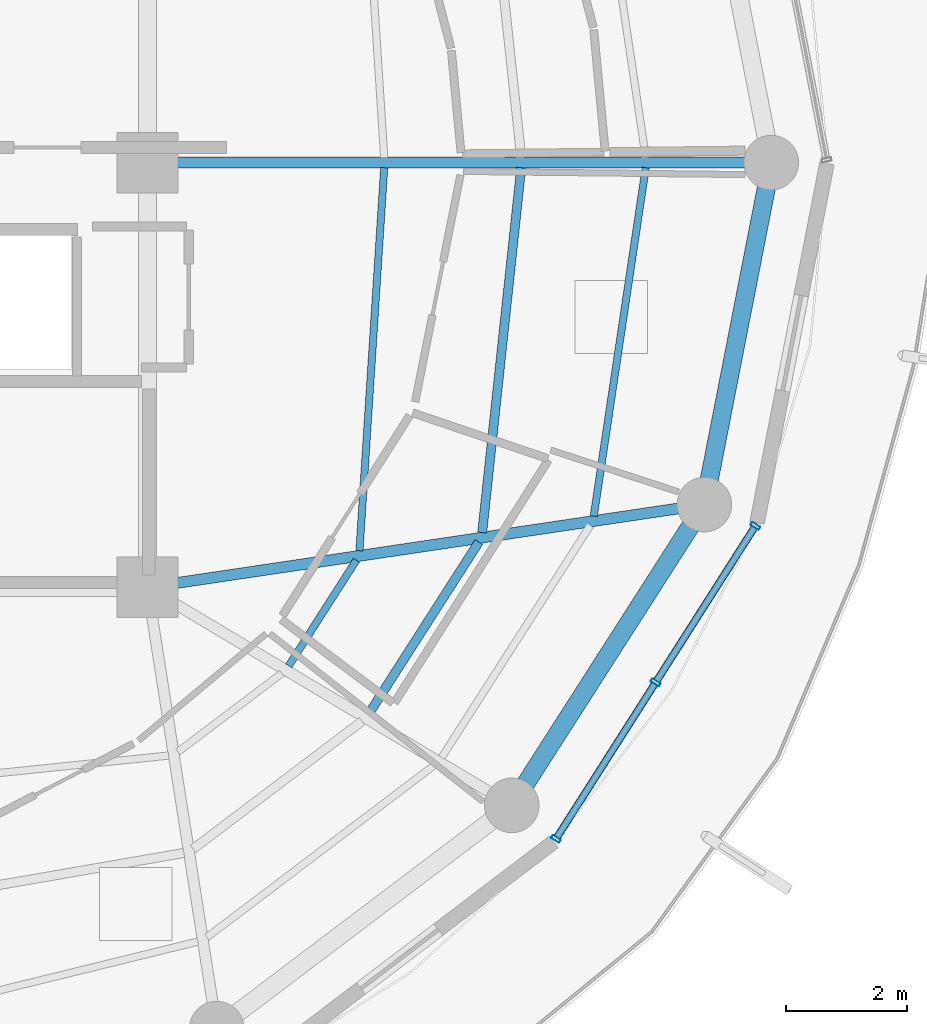
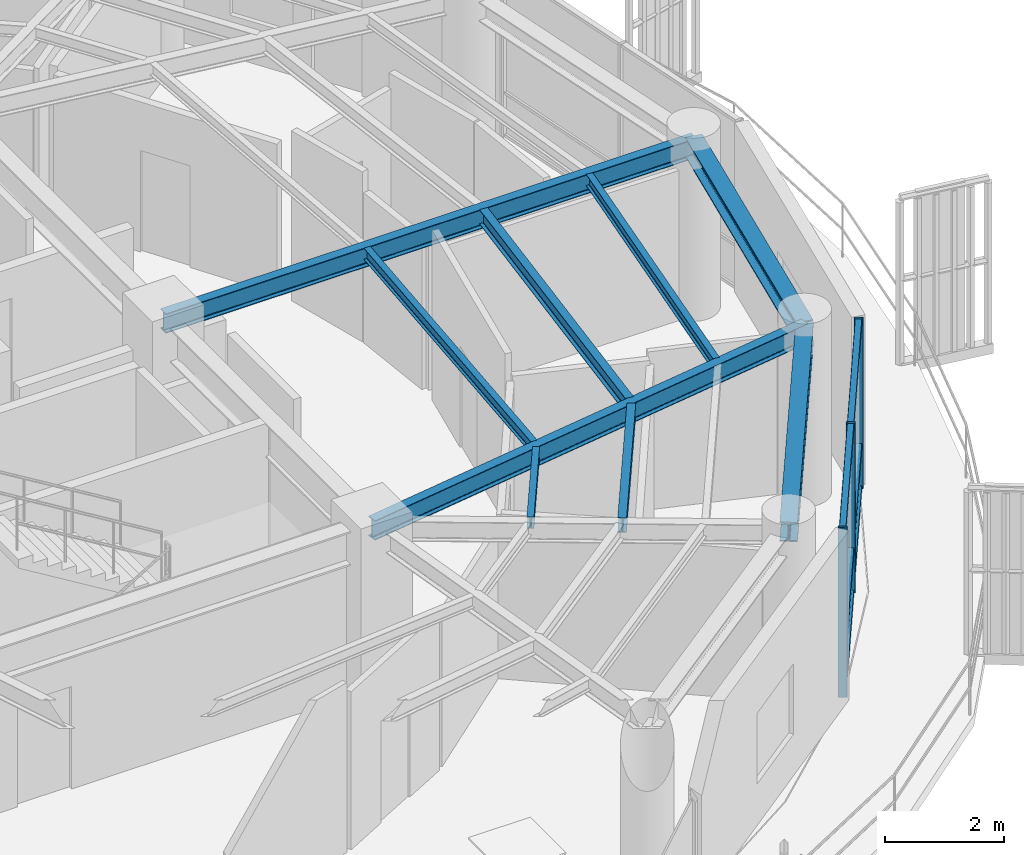
# One storey, part 10 of 23: 9 beams, 9 members, 1 element without a shape of its own.
"""IFC4 building model written with IfcOpenShell, lengths in metres."""

from ifc_helpers import new_model, si_unit, direction, frame, origin, origin_2d, place, context, subcontext, project, spatial, hollow_rectangle, i_section, extrude, material, layer, layer_set, material_profile, profile_set, type_object, element, aggregate, save


model = new_model("IFC4")

# Units and contexts
model_context = context("Model", 3, precision=1e-05, world=origin(), true_north=direction((0.0, 1.0)))
body_context = subcontext(model_context, "Body", "Model", "MODEL_VIEW")
ifc_project = project(units=[si_unit("LENGTHUNIT", "METRE"), si_unit("AREAUNIT", "SQUARE_METRE"), si_unit("VOLUMEUNIT", "CUBIC_METRE"), si_unit("PLANEANGLEUNIT", "RADIAN"), si_unit("MASSUNIT", "GRAM", prefix="KILO")], contexts=[model_context])

# Site, building, storey
site_placement = place(None, origin())
site = spatial("IfcSite", under=ifc_project, at=site_placement, CompositionType="ELEMENT")
building_placement = place(site_placement, origin())
building = spatial("IfcBuilding", under=site, at=building_placement, Name="Kelanora Arch Commons", CompositionType="ELEMENT")
storey_placement = place(building_placement, frame((0.0, 0.0, 256.199951171875)))
storey = spatial("IfcBuildingStorey", under=building, at=storey_placement, Name="L65", CompositionType="ELEMENT", Elevation=256.199951171875)

# Beams
ifc_material_1 = material(Name="Steel S355", Category="steel")
ifc_material_profile_1 = material_profile(ifc_material_1, i_section(OverallWidth=0.14990234375, OverallDepth=0.300048828125, WebThickness=0.007080078125, FlangeThickness=0.0107421875, FilletRadius=0.014892578125, at=origin_2d()), Name="IPE300")
ifc_profile_set_1 = profile_set([ifc_material_profile_1], Name="Steel S355")
beam_type_1 = type_object("IfcBeamType", Name="BM-JST-01", PredefinedType="JOIST", material=ifc_profile_set_1)
beam_1_placement = place(storey_placement, frame((85.647705078125, 48.915771484375, 3.340087890625), z_axis=(0.539321586177, 0.842099891155, 0.0), x_axis=(-0.842099891155, 0.539321586177, 0.0)))
element("IfcBeam", 1, at=beam_1_placement, inside=storey, type_object=beam_type_1, Name="Secondary Chord Joist BJB-32 L65", PredefinedType="JOIST", context=body_context, shape_type="SweptSolid", body=[
    extrude(i_section(OverallWidth=0.14990234375, OverallDepth=0.300048828125, WebThickness=0.007080078125, FlangeThickness=0.0107421875, FilletRadius=0.014892578125, at=origin_2d()), origin(), (0.0, 0.0, 1.0), 3.361572265625),
])
beam_2_placement = place(storey_placement, frame((87.515625, 51.902587890625, 3.340087890625), z_axis=(0.106380594087, 0.994325484538, 0.0), x_axis=(-0.994325484538, 0.106380594087, 0.0)))
element("IfcBeam", 2, at=beam_2_placement, inside=storey, type_object=beam_type_1, Name="Secondary Chord Joist BJB-34 L65", PredefinedType="JOIST", context=body_context, shape_type="SweptSolid", body=[
    extrude(i_section(OverallWidth=0.14990234375, OverallDepth=0.300048828125, WebThickness=0.007080078125, FlangeThickness=0.0107421875, FilletRadius=0.014892578125, at=origin_2d()), origin(), (0.0, 0.0, 1.0), 6.04736328125),
])
ifc_material_profile_2 = material_profile(ifc_material_1, i_section(OverallWidth=0.1201171875, OverallDepth=0.239990234375, WebThickness=0.006103515625, FlangeThickness=0.009765625, FilletRadius=0.014892578125, at=origin_2d()), Name="IPE240")
ifc_profile_set_2 = profile_set([ifc_material_profile_2], Name="Steel S355")
beam_type_2 = type_object("IfcBeamType", Name="BM-JST-02", PredefinedType="JOIST", material=ifc_profile_set_2)
beam_3_placement = place(storey_placement, frame((84.3271484375, 49.706298828125, 3.3701171875), z_axis=(0.539311810315, 0.842106152011, 0.0), x_axis=(-0.842106152011, 0.539311810315, 0.0)))
element("IfcBeam", 3, at=beam_3_placement, inside=storey, type_object=beam_type_2, Name="Secondary Chord Joist BJA-32 L65", PredefinedType="JOIST", context=body_context, shape_type="SweptSolid", body=[
    extrude(i_section(OverallWidth=0.1201171875, OverallDepth=0.239990234375, WebThickness=0.006103515625, FlangeThickness=0.009765625, FilletRadius=0.014892578125, at=origin_2d()), origin(), (0.0, 0.0, 1.0), 2.06640625),
])
beam_4_placement = place(storey_placement, frame((85.492919921875, 51.60302734375, 3.3701171875), z_axis=(0.064495107978, 0.99791802321, 0.0), x_axis=(-0.99791802321, 0.064495107978, 0.0)))
element("IfcBeam", 4, at=beam_4_placement, inside=storey, type_object=beam_type_2, Name="Secondary Chord Joist BJA-34 L65", PredefinedType="JOIST", context=body_context, shape_type="SweptSolid", body=[
    extrude(i_section(OverallWidth=0.1201171875, OverallDepth=0.239990234375, WebThickness=0.006103515625, FlangeThickness=0.009765625, FilletRadius=0.014892578125, at=origin_2d()), origin(), (0.0, 0.0, 1.0), 6.325439453125),
])
beam_5_placement = place(storey_placement, frame((89.3544921875, 52.1748046875, 3.3701171875), z_axis=(0.14762470282, 0.989043450571, 0.0), x_axis=(-0.989043450571, 0.14762470282, 0.0)))
element("IfcBeam", 5, at=beam_5_placement, inside=storey, type_object=beam_type_2, Name="Secondary Chord Joist BJC-34 L65", PredefinedType="JOIST", context=body_context, shape_type="SweptSolid", body=[
    extrude(i_section(OverallWidth=0.1201171875, OverallDepth=0.239990234375, WebThickness=0.006103515625, FlangeThickness=0.009765625, FilletRadius=0.014892578125, at=origin_2d()), origin(), (0.0, 0.0, 1.0), 5.804931640625),
])
ifc_material_profile_3 = material_profile(ifc_material_1, i_section(OverallWidth=0.179931640625, OverallDepth=0.39990234375, WebThickness=0.008544921875, FlangeThickness=0.013427734375, FilletRadius=0.02099609375, at=origin_2d()), Name="IPE400")
ifc_profile_set_3 = profile_set([ifc_material_profile_3], Name="Steel S355")
beam_type_3 = type_object("IfcBeamType", Name="BM-RAD-Z5", PredefinedType="BEAM", material=ifc_profile_set_3)
beam_6_placement = place(storey_placement, frame((82.0, 58.0, 3.2900390625), z_axis=(1.0, 0.0, 0.0), x_axis=(0.0, 1.0, 0.0)))
element("IfcBeam", 6, at=beam_6_placement, inside=storey, type_object=beam_type_3, Name="Radial Floor Girder BR-00 L65", PredefinedType="BEAM", context=body_context, shape_type="SweptSolid", body=[
    extrude(i_section(OverallWidth=0.179931640625, OverallDepth=0.39990234375, WebThickness=0.008544921875, FlangeThickness=0.013427734375, FilletRadius=0.02099609375, at=origin_2d()), origin(), (0.0, 0.0, 1.0), 10.280029296875),
])
beam_7_placement = place(storey_placement, frame((82.0, 51.0, 3.2900390625), z_axis=(0.989142485564, 0.146959665395, 0.0), x_axis=(-0.146959665395, 0.989142485564, 0.0)))
element("IfcBeam", 7, at=beam_7_placement, inside=storey, type_object=beam_type_3, Name="Radial Floor Girder BR-34 L65", PredefinedType="BEAM", context=body_context, shape_type="SweptSolid", body=[
    extrude(i_section(OverallWidth=0.179931640625, OverallDepth=0.39990234375, WebThickness=0.008544921875, FlangeThickness=0.013427734375, FilletRadius=0.02099609375, at=origin_2d()), origin(), (0.0, 0.0, 1.0), 9.2783203125),
])
ifc_material_profile_4 = material_profile(ifc_material_1, i_section(OverallWidth=0.300048828125, OverallDepth=0.39990234375, WebThickness=0.013427734375, FlangeThickness=0.02392578125, FilletRadius=0.027099609375, at=origin_2d()), Name="HEB400")
ifc_profile_set_4 = profile_set([ifc_material_profile_4], Name="Steel S355")
beam_type_4 = type_object("IfcBeamType", Name="BM-SPN-Z4", PredefinedType="SPANDREL", material=ifc_profile_set_4)
beam_8_placement = place(storey_placement, frame((88.00341796875, 47.406982421875, 3.2900390625), z_axis=(0.539280851353, 0.842125978322, 0.0), x_axis=(-0.842125978322, 0.539280851353, 0.0)))
element("IfcBeam", 8, at=beam_8_placement, inside=storey, type_object=beam_type_4, Name="Perimeter Spandrel Beam BS-32 L65", PredefinedType="SPANDREL", context=body_context, shape_type="SweptSolid", body=[
    extrude(i_section(OverallWidth=0.300048828125, OverallDepth=0.39990234375, WebThickness=0.013427734375, FlangeThickness=0.02392578125, FilletRadius=0.027099609375, at=origin_2d()), origin(), (0.0, 0.0, 1.0), 5.8857421875),
])
beam_9_placement = place(storey_placement, frame((91.177490234375, 52.363525390625, 3.2900390625), z_axis=(0.191969774604, 0.981400838413, 0.0), x_axis=(-0.981400838413, 0.191969774604, 0.0)))
element("IfcBeam", 9, at=beam_9_placement, inside=storey, type_object=beam_type_4, Name="Perimeter Spandrel Beam BS-34 L65", PredefinedType="SPANDREL", context=body_context, shape_type="SweptSolid", body=[
    extrude(i_section(OverallWidth=0.300048828125, OverallDepth=0.39990234375, WebThickness=0.013427734375, FlangeThickness=0.02392578125, FilletRadius=0.027099609375, at=origin_2d()), origin(), (0.0, 0.0, 1.0), 5.743408203125),
])

# Curtain wall, members
ifc_material_2 = material(Name="Terracotta ceramic-fritted low-E glass and aluminium", Category="masonry")
ifc_layer = layer(ifc_material_2, 0.18994140625)
ifc_layer_set = layer_set([ifc_layer], Name="Terracotta ceramic-fritted low-E glass and aluminium")
curtain_wall_type = type_object("IfcCurtainWallType", Name="CW-SYS-03", PredefinedType="NOTDEFINED", material=ifc_layer_set)
curtain_wall_placement = place(storey_placement, origin())
curtain_wall = element("IfcCurtainWall", 10, at=curtain_wall_placement, inside=storey, type_object=curtain_wall_type, Name="Unitised Curtain Wall L65-B16", PredefinedType="NOTDEFINED")
ifc_material_3 = material(Name="Powder-coated aluminium terracotta", Category="masonry")
ifc_material_profile_5 = material_profile(ifc_material_3, hollow_rectangle(XDim=0.159912109375, YDim=0.06005859375, WallThickness=0.0048828125, InnerFilletRadius=0.0048828125, OuterFilletRadius=0.010009765625, at=origin_2d()), Name="CWM160x60")
ifc_profile_set_5 = profile_set([ifc_material_profile_5], Name="Powder-coated aluminium terracotta")
member_type_1 = type_object("IfcMemberType", Name="CWM-STD", PredefinedType="MULLION", material=ifc_profile_set_5)
member_1_placement = place(storey_placement, frame((88.732421875, 46.853515625, 0.0), z_axis=(0.0, 0.0, 1.0), x_axis=(-0.843391314545, 0.537299814397, 0.0)))
member_1 = element("IfcMember", 11, at=member_1_placement, type_object=member_type_1, Name="CW-03 mullion 1", PredefinedType="MULLION", context=body_context, shape_type="SweptSolid", body=[
    extrude(hollow_rectangle(XDim=0.159912109375, YDim=0.06005859375, WallThickness=0.0048828125, InnerFilletRadius=0.0048828125, OuterFilletRadius=0.010009765625, at=origin_2d()), origin(), (0.0, 0.0, 1.0), 3.47509765625),
])
member_2_placement = place(storey_placement, frame((90.375, 49.43212890625, 0.0), z_axis=(0.0, 0.0, 1.0), x_axis=(-0.843391314545, 0.537299814397, 0.0)))
member_2 = element("IfcMember", 12, at=member_2_placement, type_object=member_type_1, Name="CW-03 mullion 2", PredefinedType="MULLION", context=body_context, shape_type="SweptSolid", body=[
    extrude(hollow_rectangle(XDim=0.159912109375, YDim=0.06005859375, WallThickness=0.0048828125, InnerFilletRadius=0.0048828125, OuterFilletRadius=0.010009765625, at=origin_2d()), origin(), (0.0, 0.0, 1.0), 3.47509765625),
])
member_3_placement = place(storey_placement, frame((92.017822265625, 52.0107421875, 0.0), z_axis=(0.0, 0.0, 1.0), x_axis=(-0.843391314545, 0.537299814397, 0.0)))
member_3 = element("IfcMember", 13, at=member_3_placement, type_object=member_type_1, Name="CW-03 mullion 3", PredefinedType="MULLION", context=body_context, shape_type="SweptSolid", body=[
    extrude(hollow_rectangle(XDim=0.159912109375, YDim=0.06005859375, WallThickness=0.0048828125, InnerFilletRadius=0.0048828125, OuterFilletRadius=0.010009765625, at=origin_2d()), origin(), (0.0, 0.0, 1.0), 3.47509765625),
])
ifc_material_profile_6 = material_profile(ifc_material_3, hollow_rectangle(XDim=0.1201171875, YDim=0.06005859375, WallThickness=0.0048828125, InnerFilletRadius=0.0048828125, OuterFilletRadius=0.010009765625, at=origin_2d()), Name="CWT120x60")
ifc_profile_set_6 = profile_set([ifc_material_profile_6], Name="Powder-coated aluminium terracotta")
member_type_2 = type_object("IfcMemberType", Name="CWT-STD", PredefinedType="USERDEFINED", material=ifc_profile_set_6)
member_4_placement = place(storey_placement, frame((88.74853515625, 46.87890625, 0.030029296875), z_axis=(0.537286543791, 0.84339976871, 0.0), x_axis=(-0.84339976871, 0.537286543791, 0.0)))
member_4 = element("IfcMember", 14, at=member_4_placement, type_object=member_type_2, Name="CW-03 transom 1.1", ObjectType="TRANSOM", PredefinedType="USERDEFINED", context=body_context, shape_type="SweptSolid", body=[
    extrude(hollow_rectangle(XDim=0.1201171875, YDim=0.06005859375, WallThickness=0.0048828125, InnerFilletRadius=0.0048828125, OuterFilletRadius=0.010009765625, at=origin_2d()), origin(), (0.0, 0.0, 1.0), 2.997314453125),
])
member_5_placement = place(storey_placement, frame((88.74853515625, 46.87890625, 0.900146484375), z_axis=(0.537286543791, 0.84339976871, 0.0), x_axis=(-0.84339976871, 0.537286543791, 0.0)))
member_5 = element("IfcMember", 15, at=member_5_placement, type_object=member_type_2, Name="CW-03 transom 1.2", ObjectType="TRANSOM", PredefinedType="USERDEFINED", context=body_context, shape_type="SweptSolid", body=[
    extrude(hollow_rectangle(XDim=0.1201171875, YDim=0.06005859375, WallThickness=0.0048828125, InnerFilletRadius=0.0048828125, OuterFilletRadius=0.010009765625, at=origin_2d()), origin(), (0.0, 0.0, 1.0), 2.997314453125),
])
member_6_placement = place(storey_placement, frame((88.74853515625, 46.87890625, 3.445068359375), z_axis=(0.537286543791, 0.84339976871, 0.0), x_axis=(-0.84339976871, 0.537286543791, 0.0)))
member_6 = element("IfcMember", 16, at=member_6_placement, type_object=member_type_2, Name="CW-03 transom 1.3", ObjectType="TRANSOM", PredefinedType="USERDEFINED", context=body_context, shape_type="SweptSolid", body=[
    extrude(hollow_rectangle(XDim=0.1201171875, YDim=0.06005859375, WallThickness=0.0048828125, InnerFilletRadius=0.0048828125, OuterFilletRadius=0.010009765625, at=origin_2d()), origin(), (0.0, 0.0, 1.0), 2.997314453125),
])
member_7_placement = place(storey_placement, frame((90.39111328125, 49.45751953125, 0.030029296875), z_axis=(0.537307571338, 0.843386372775, 0.0), x_axis=(-0.843386372775, 0.537307571338, 0.0)))
member_7 = element("IfcMember", 17, at=member_7_placement, type_object=member_type_2, Name="CW-03 transom 2.1", ObjectType="TRANSOM", PredefinedType="USERDEFINED", context=body_context, shape_type="SweptSolid", body=[
    extrude(hollow_rectangle(XDim=0.1201171875, YDim=0.06005859375, WallThickness=0.0048828125, InnerFilletRadius=0.0048828125, OuterFilletRadius=0.010009765625, at=origin_2d()), origin(), (0.0, 0.0, 1.0), 2.99755859375),
])
member_8_placement = place(storey_placement, frame((90.39111328125, 49.45751953125, 0.900146484375), z_axis=(0.537307571338, 0.843386372775, 0.0), x_axis=(-0.843386372775, 0.537307571338, 0.0)))
member_8 = element("IfcMember", 18, at=member_8_placement, type_object=member_type_2, Name="CW-03 transom 2.2", ObjectType="TRANSOM", PredefinedType="USERDEFINED", context=body_context, shape_type="SweptSolid", body=[
    extrude(hollow_rectangle(XDim=0.1201171875, YDim=0.06005859375, WallThickness=0.0048828125, InnerFilletRadius=0.0048828125, OuterFilletRadius=0.010009765625, at=origin_2d()), origin(), (0.0, 0.0, 1.0), 2.99755859375),
])
member_9_placement = place(storey_placement, frame((90.39111328125, 49.45751953125, 3.445068359375), z_axis=(0.537307571338, 0.843386372775, 0.0), x_axis=(-0.843386372775, 0.537307571338, 0.0)))
member_9 = element("IfcMember", 19, at=member_9_placement, type_object=member_type_2, Name="CW-03 transom 2.3", ObjectType="TRANSOM", PredefinedType="USERDEFINED", context=body_context, shape_type="SweptSolid", body=[
    extrude(hollow_rectangle(XDim=0.1201171875, YDim=0.06005859375, WallThickness=0.0048828125, InnerFilletRadius=0.0048828125, OuterFilletRadius=0.010009765625, at=origin_2d()), origin(), (0.0, 0.0, 1.0), 2.99755859375),
])
aggregate(curtain_wall, [member_1, member_2, member_3, member_4, member_5, member_6, member_7, member_8, member_9])

save(model, "model.ifc")
